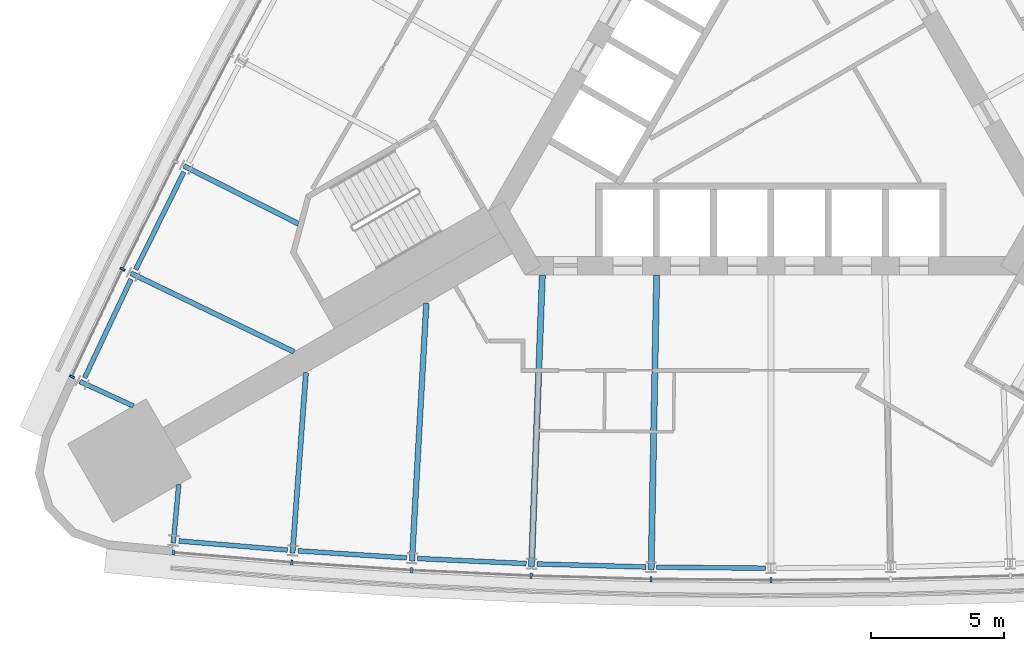
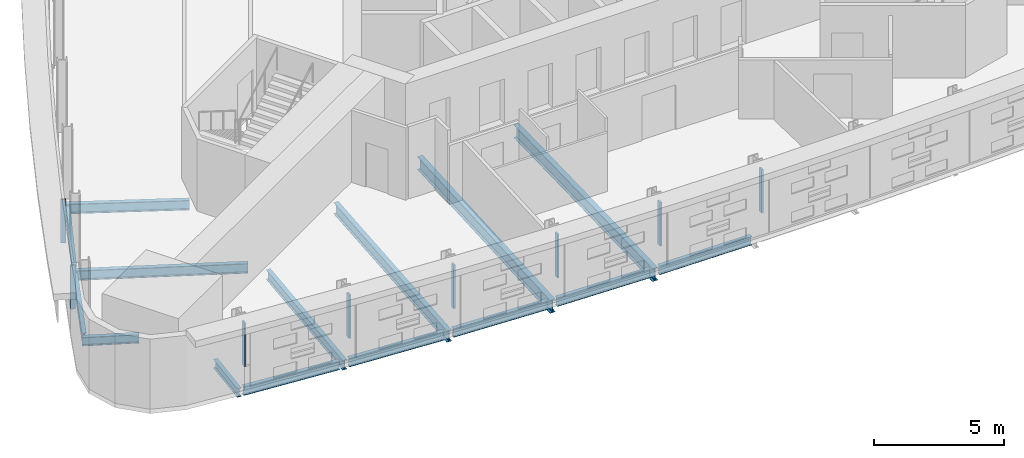
# One storey, part 2 of 15: 15 beams, 8 members, 2 elements without a shape of their own.
"""IFC4 building model written with IfcOpenShell, lengths in metres."""

from ifc_helpers import new_model, si_unit, direction, frame, origin, origin_2d, place, context, subcontext, project, spatial, rectangle, i_section, extrude, material, material_profile, profile_set, type_object, element, aggregate, save


model = new_model("IFC4")

# Units and contexts
model_context = context("Model", 3, precision=1e-05, world=origin(), true_north=direction((0.0, 1.0)))
body_context = subcontext(model_context, "Body", "Model", "MODEL_VIEW")
ifc_project = project(units=[si_unit("LENGTHUNIT", "METRE"), si_unit("AREAUNIT", "SQUARE_METRE"), si_unit("VOLUMEUNIT", "CUBIC_METRE"), si_unit("PLANEANGLEUNIT", "RADIAN"), si_unit("MASSUNIT", "GRAM", prefix="KILO")], contexts=[model_context])

# Site, building, storey
site_placement = place(None, origin())
site = spatial("IfcSite", under=ifc_project, at=site_placement, CompositionType="ELEMENT")
building_placement = place(site_placement, origin())
building = spatial("IfcBuilding", under=site, at=building_placement, Name="Noor Cloister Tower", CompositionType="ELEMENT")
storey_placement = place(building_placement, frame((0.0, 0.0, 31.199951171875)))
storey = spatial("IfcBuildingStorey", under=building, at=storey_placement, Name="L07", CompositionType="ELEMENT", Elevation=31.199951171875)

# Curtain wall, members
ifc_material_1 = material(Name="Aluminium 6063-T6 anodised", Category="aluminium")
curtain_wall_type = type_object("IfcCurtainWallType", Name="Ribbon curtain wall, lower tower CW1", PredefinedType="NOTDEFINED", material=ifc_material_1)
curtain_wall_1_placement = place(storey_placement, origin())
curtain_wall_1 = element("IfcCurtainWall", 1, at=curtain_wall_1_placement, inside=storey, type_object=curtain_wall_type, Name="CW1 L07 NW run 1", PredefinedType="NOTDEFINED")
ifc_material_2 = material(Name="Aluminium 6063-T6 anodised", Category="aluminium")
ifc_material_profile_1 = material_profile(ifc_material_2, rectangle(XDim=0.199951171875, YDim=0.080078125, at=origin_2d()), Name="200 x 80 mullion")
ifc_profile_set_1 = profile_set([ifc_material_profile_1], Name="Aluminium 6063-T6 anodised")
member_type = type_object("IfcMemberType", Name="Mullion CW1 80 x 200", PredefinedType="MULLION", material=ifc_profile_set_1)
member_1_placement = place(storey_placement, frame((-24.330322265625, -6.709716796875, 1.10009765625), z_axis=(0.0, 0.0, 1.0), x_axis=(0.900715223435, -0.434410043937, 0.0)))
member_1 = element("IfcMember", 2, at=member_1_placement, type_object=member_type, Name="CW1 mullion 10", PredefinedType="MULLION", context=body_context, shape_type="SweptSolid", body=[
    extrude(rectangle(XDim=0.199951171875, YDim=0.080078125, at=origin_2d()), origin(), (0.0, 0.0, 1.0), 2.050048828125),
])
member_2_placement = place(storey_placement, frame((-26.22998046875, -10.743896484375, 1.10009765625), z_axis=(0.0, 0.0, 1.0), x_axis=(0.90470640697, -0.426035582068, 0.0)))
member_2 = element("IfcMember", 3, at=member_2_placement, type_object=member_type, Name="CW1 mullion 11", PredefinedType="MULLION", context=body_context, shape_type="SweptSolid", body=[
    extrude(rectangle(XDim=0.199951171875, YDim=0.080078125, at=origin_2d()), origin(), (0.0, 0.0, 1.0), 2.050048828125),
])
aggregate(curtain_wall_1, [member_1, member_2])

curtain_wall_2_placement = place(storey_placement, origin())
curtain_wall_2 = element("IfcCurtainWall", 4, at=curtain_wall_2_placement, inside=storey, type_object=curtain_wall_type, Name="CW1 L07 S run 2", PredefinedType="NOTDEFINED")
member_3_placement = place(storey_placement, frame((-22.41943359375, -17.343994140625, 1.10009765625), z_axis=(0.0, 0.0, 1.0), x_axis=(0.083395566498, 0.996516522436, 0.0)))
member_3 = element("IfcMember", 5, at=member_3_placement, type_object=member_type, Name="CW1 mullion 1", PredefinedType="MULLION", context=body_context, shape_type="SweptSolid", body=[
    extrude(rectangle(XDim=0.199951171875, YDim=0.080078125, at=origin_2d()), origin(), (0.0, 0.0, 1.0), 2.050048828125),
])
member_4_placement = place(storey_placement, frame((-17.97607421875, -17.7158203125, 1.10009765625), z_axis=(0.0, 0.0, 1.0), x_axis=(0.074147478009, 0.997247287038, 0.0)))
member_4 = element("IfcMember", 6, at=member_4_placement, type_object=member_type, Name="CW1 mullion 2", PredefinedType="MULLION", context=body_context, shape_type="SweptSolid", body=[
    extrude(rectangle(XDim=0.199951171875, YDim=0.080078125, at=origin_2d()), origin(), (0.0, 0.0, 1.0), 2.050048828125),
])
member_5_placement = place(storey_placement, frame((-13.487548828125, -18.007568359375, 1.10009765625), z_axis=(0.0, 0.0, 1.0), x_axis=(0.055632953827, 0.99845128797, 0.0)))
member_5 = element("IfcMember", 7, at=member_5_placement, type_object=member_type, Name="CW1 mullion 3", PredefinedType="MULLION", context=body_context, shape_type="SweptSolid", body=[
    extrude(rectangle(XDim=0.199951171875, YDim=0.080078125, at=origin_2d()), origin(), (0.0, 0.0, 1.0), 2.050048828125),
])
member_6_placement = place(storey_placement, frame((-8.994140625, -18.21630859375, 1.10009765625), z_axis=(0.0, 0.0, 1.0), x_axis=(0.037099278712, 0.999311584802, 0.0)))
member_6 = element("IfcMember", 8, at=member_6_placement, type_object=member_type, Name="CW1 mullion 4", PredefinedType="MULLION", context=body_context, shape_type="SweptSolid", body=[
    extrude(rectangle(XDim=0.199951171875, YDim=0.080078125, at=origin_2d()), origin(), (0.0, 0.0, 1.0), 2.050048828125),
])
member_7_placement = place(storey_placement, frame((-4.497802734375, -18.34130859375, 1.10009765625), z_axis=(0.0, 0.0, 1.0), x_axis=(0.018552832644, 0.999827881388, 0.0)))
member_7 = element("IfcMember", 9, at=member_7_placement, type_object=member_type, Name="CW1 mullion 5", PredefinedType="MULLION", context=body_context, shape_type="SweptSolid", body=[
    extrude(rectangle(XDim=0.199951171875, YDim=0.080078125, at=origin_2d()), origin(), (0.0, 0.0, 1.0), 2.050048828125),
])
member_8_placement = place(storey_placement, frame((0.0, -18.383056640625, 1.10009765625), z_axis=(0.0, 0.0, 1.0), x_axis=(0.0, 1.0, 0.0)))
member_8 = element("IfcMember", 10, at=member_8_placement, type_object=member_type, Name="CW1 mullion 6", PredefinedType="MULLION", context=body_context, shape_type="SweptSolid", body=[
    extrude(rectangle(XDim=0.199951171875, YDim=0.080078125, at=origin_2d()), origin(), (0.0, 0.0, 1.0), 2.050048828125),
])
aggregate(curtain_wall_2, [member_3, member_4, member_5, member_6, member_7, member_8])

# Beams
ifc_material_3 = material(Name="Steel ASTM A992 Gr 50", Category="steel")
ifc_material_profile_2 = material_profile(ifc_material_3, i_section(OverallWidth=0.177978515625, OverallDepth=0.406005859375, WebThickness=0.0078125, FlangeThickness=0.0126953125, FilletRadius=0.01025390625, at=origin_2d()), Name="W410x60")
ifc_profile_set_2 = profile_set([ifc_material_profile_2], Name="Steel ASTM A992 Gr 50")
beam_type_1 = type_object("IfcBeamType", Name="Radial beam W410x60", PredefinedType="BEAM", material=ifc_profile_set_2)
for number, where, z_axis, x_axis, name in (
    (11, (-25.926025390625, -10.9267578125, -0.40283203125), (0.908618969654, -0.417626110276, 0.0), (0.417626110276, 0.908618969654, 0.0), "Radial beam NW 11 L07"),
    (12, (-22.42578125, -16.9892578125, -0.40283203125), (0.092620817563, 0.995701453325, 0.0), (-0.995701453325, 0.092620817563, 0.0), "Radial beam S 01 L07"),
):
    element("IfcBeam", number, at=place(storey_placement, frame(where, z_axis=z_axis, x_axis=x_axis)), inside=storey, type_object=beam_type_1, Name=name, PredefinedType="BEAM", context=body_context, shape_type="SweptSolid", body=[
        extrude(i_section(OverallWidth=0.177978515625, OverallDepth=0.406005859375, WebThickness=0.0078125, FlangeThickness=0.0126953125, FilletRadius=0.01025390625, at=origin_2d()), origin(), (0.0, 0.0, 1.0), 2.206298828125),
    ])
ifc_material_4 = material(Name="Steel ASTM A992 Gr 50", Category="steel")
ifc_material_profile_3 = material_profile(ifc_material_4, i_section(OverallWidth=0.19091796875, OverallDepth=0.45703125, WebThickness=0.009033203125, FlangeThickness=0.014404296875, FilletRadius=0.01025390625, at=origin_2d()), Name="W460x74")
ifc_profile_set_3 = profile_set([ifc_material_profile_3], Name="Steel ASTM A992 Gr 50")
beam_type_2 = type_object("IfcBeamType", Name="Radial beam W460x74", PredefinedType="BEAM", material=ifc_profile_set_3)
beam_1_placement = place(storey_placement, frame((-22.023681640625, -2.8359375, -0.428466796875), z_axis=(0.892499379673, -0.451048619645, 0.0), x_axis=(0.451048619645, 0.892499379673, 0.0)))
element("IfcBeam", 13, at=beam_1_placement, inside=storey, type_object=beam_type_2, Name="Radial beam NW 09 L07", PredefinedType="BEAM", context=body_context, shape_type="SweptSolid", body=[
    extrude(i_section(OverallWidth=0.19091796875, OverallDepth=0.45703125, WebThickness=0.009033203125, FlangeThickness=0.014404296875, FilletRadius=0.01025390625, at=origin_2d()), origin(), (0.0, 0.0, 1.0), 4.8076171875),
])
beam_2_placement = place(storey_placement, frame((-24.012451171875, -6.86328125, -0.428466796875), z_axis=(0.900714671777, -0.434411187753, 0.0), x_axis=(0.434411187753, 0.900714671777, 0.0)))
element("IfcBeam", 14, at=beam_2_placement, inside=storey, type_object=beam_type_2, Name="Radial beam NW 10 L07", PredefinedType="BEAM", context=body_context, shape_type="SweptSolid", body=[
    extrude(i_section(OverallWidth=0.19091796875, OverallDepth=0.45703125, WebThickness=0.009033203125, FlangeThickness=0.014404296875, FilletRadius=0.01025390625, at=origin_2d()), origin(), (0.0, 0.0, 1.0), 6.7900390625),
])
beam_3_placement = place(storey_placement, frame((-17.949951171875, -17.36376953125, -0.428466796875), z_axis=(0.074139211608, 0.997247901628, 0.0), x_axis=(-0.997247901628, 0.074139211608, 0.0)))
element("IfcBeam", 15, at=beam_3_placement, inside=storey, type_object=beam_type_2, Name="Radial beam S 02 L07", PredefinedType="BEAM", context=body_context, shape_type="SweptSolid", body=[
    extrude(i_section(OverallWidth=0.19091796875, OverallDepth=0.45703125, WebThickness=0.009033203125, FlangeThickness=0.014404296875, FilletRadius=0.01025390625, at=origin_2d()), origin(), (0.0, 0.0, 1.0), 6.790283203125),
])
ifc_material_5 = material(Name="Steel ASTM A992 Gr 50", Category="steel")
ifc_material_profile_4 = material_profile(ifc_material_5, i_section(OverallWidth=0.208984375, OverallDepth=0.532958984375, WebThickness=0.01025390625, FlangeThickness=0.015625, FilletRadius=0.0126953125, at=origin_2d()), Name="W530x92")
ifc_profile_set_4 = profile_set([ifc_material_profile_4], Name="Steel ASTM A992 Gr 50")
beam_type_3 = type_object("IfcBeamType", Name="Radial beam W530x92", PredefinedType="BEAM", material=ifc_profile_set_4)
beam_4_placement = place(storey_placement, frame((-13.4677734375, -17.6552734375, -0.466552734375), z_axis=(0.055627764387, 0.998451577108, 0.0), x_axis=(-0.998451577108, 0.055627764387, 0.0)))
element("IfcBeam", 16, at=beam_4_placement, inside=storey, type_object=beam_type_3, Name="Radial beam S 03 L07", PredefinedType="BEAM", context=body_context, shape_type="SweptSolid", body=[
    extrude(i_section(OverallWidth=0.208984375, OverallDepth=0.532958984375, WebThickness=0.01025390625, FlangeThickness=0.015625, FilletRadius=0.0126953125, at=origin_2d()), origin(), (0.0, 0.0, 1.0), 9.68603515625),
])
ifc_material_6 = material(Name="Steel ASTM A992 Gr 50", Category="steel")
ifc_material_profile_5 = material_profile(ifc_material_6, i_section(OverallWidth=0.22900390625, OverallDepth=0.612060546875, WebThickness=0.011962890625, FlangeThickness=0.01953125, FilletRadius=0.0126953125, at=origin_2d()), Name="W610x125")
ifc_profile_set_5 = profile_set([ifc_material_profile_5], Name="Steel ASTM A992 Gr 50")
beam_type_4 = type_object("IfcBeamType", Name="Radial beam W610x125", PredefinedType="BEAM", material=ifc_profile_set_5)
beam_5_placement = place(storey_placement, frame((-8.981201171875, -17.863525390625, -0.505859375), z_axis=(0.037102430643, 0.999311467782, 0.0), x_axis=(-0.999311467782, 0.037102430643, 0.0)))
element("IfcBeam", 17, at=beam_5_placement, inside=storey, type_object=beam_type_4, Name="Radial beam S 04 L07", PredefinedType="BEAM", context=body_context, shape_type="SweptSolid", body=[
    extrude(i_section(OverallWidth=0.22900390625, OverallDepth=0.612060546875, WebThickness=0.011962890625, FlangeThickness=0.01953125, FilletRadius=0.0126953125, at=origin_2d()), origin(), (0.0, 0.0, 1.0), 10.94287109375),
])
beam_6_placement = place(storey_placement, frame((-4.491455078125, -17.988525390625, -0.505859375), z_axis=(0.018560694116, 0.999827735479, 0.0), x_axis=(-0.999827735479, 0.018560694116, 0.0)))
element("IfcBeam", 18, at=beam_6_placement, inside=storey, type_object=beam_type_4, Name="Radial beam S 05 L07", PredefinedType="BEAM", context=body_context, shape_type="SweptSolid", body=[
    extrude(i_section(OverallWidth=0.22900390625, OverallDepth=0.612060546875, WebThickness=0.011962890625, FlangeThickness=0.01953125, FilletRadius=0.0126953125, at=origin_2d()), origin(), (0.0, 0.0, 1.0), 11.062255859375),
])
ifc_material_7 = material(Name="Steel ASTM A992 Gr 50", Category="steel")
ifc_material_profile_6 = material_profile(ifc_material_7, i_section(OverallWidth=0.177978515625, OverallDepth=0.406005859375, WebThickness=0.0078125, FlangeThickness=0.0126953125, FilletRadius=0.01025390625, at=origin_2d()), Name="W410x60")
ifc_profile_set_6 = profile_set([ifc_material_profile_6], Name="Steel ASTM A992 Gr 50")
beam_type_5 = type_object("IfcBeamType", Name="Spandrel beam W410x60", PredefinedType="SPANDREL", material=ifc_profile_set_6)
for number, where, z_axis, x_axis, name in (
    (19, (-22.026611328125, -3.060791015625, -0.40283203125), (-0.442786243303, -0.896627203882, 0.0), (0.896627203882, -0.442786243303, 0.0), "Spandrel beam NW 09 L07"),
    (20, (-24.010986328125, -7.088134765625, -0.40283203125), (-0.426056015387, -0.904696784427, 0.0), (0.904696784427, -0.426056015387, 0.0), "Spandrel beam NW 10 L07"),
    (21, (-22.215576171875, -16.909423828125, -0.40283203125), (0.99651478207, -0.083416360003, 0.0), (0.083416360003, 0.99651478207, 0.0), "Spandrel beam S 01 L07"),
    (22, (-17.7412109375, -17.280029296875, -0.40283203125), (0.997892236224, -0.064892872368, 0.0), (0.064892872368, 0.997892236224, 0.0), "Spandrel beam S 02 L07"),
):
    element("IfcBeam", number, at=place(storey_placement, frame(where, z_axis=z_axis, x_axis=x_axis)), inside=storey, type_object=beam_type_5, Name=name, PredefinedType="SPANDREL", context=body_context, shape_type="SweptSolid", body=[
        extrude(i_section(OverallWidth=0.177978515625, OverallDepth=0.406005859375, WebThickness=0.0078125, FlangeThickness=0.0126953125, FilletRadius=0.01025390625, at=origin_2d()), origin(), (0.0, 0.0, 1.0), 4.085693359375),
    ])
beam_7_placement = place(storey_placement, frame((-13.2607421875, -17.56787109375, -0.40283203125), z_axis=(0.998924467055, -0.04636711248, 0.0), x_axis=(0.04636711248, 0.998924467055, 0.0)))
element("IfcBeam", 23, at=beam_7_placement, inside=storey, type_object=beam_type_5, Name="Spandrel beam S 03 L07", PredefinedType="SPANDREL", context=body_context, shape_type="SweptSolid", body=[
    extrude(i_section(OverallWidth=0.177978515625, OverallDepth=0.406005859375, WebThickness=0.0078125, FlangeThickness=0.0126953125, FilletRadius=0.01025390625, at=origin_2d()), origin(), (0.0, 0.0, 1.0), 4.0859375),
])
beam_8_placement = place(storey_placement, frame((-8.775634765625, -17.772216796875, -0.40283203125), z_axis=(0.999612252306, -0.027845018206, 0.0), x_axis=(0.027845018206, 0.999612252306, 0.0)))
element("IfcBeam", 24, at=beam_8_placement, inside=storey, type_object=beam_type_5, Name="Spandrel beam S 04 L07", PredefinedType="SPANDREL", context=body_context, shape_type="SweptSolid", body=[
    extrude(i_section(OverallWidth=0.177978515625, OverallDepth=0.406005859375, WebThickness=0.0078125, FlangeThickness=0.0126953125, FilletRadius=0.01025390625, at=origin_2d()), origin(), (0.0, 0.0, 1.0), 4.085693359375),
])
beam_9_placement = place(storey_placement, frame((-4.28759765625, -17.893310546875, -0.40283203125), z_axis=(0.999956555034, -0.009321375715, 0.0), x_axis=(0.009321375715, 0.999956555034, 0.0)))
element("IfcBeam", 25, at=beam_9_placement, inside=storey, type_object=beam_type_5, Name="Spandrel beam S 05 L07", PredefinedType="SPANDREL", context=body_context, shape_type="SweptSolid", body=[
    extrude(i_section(OverallWidth=0.177978515625, OverallDepth=0.406005859375, WebThickness=0.0078125, FlangeThickness=0.0126953125, FilletRadius=0.01025390625, at=origin_2d()), origin(), (0.0, 0.0, 1.0), 4.0859375),
])

save(model, "model.ifc")
